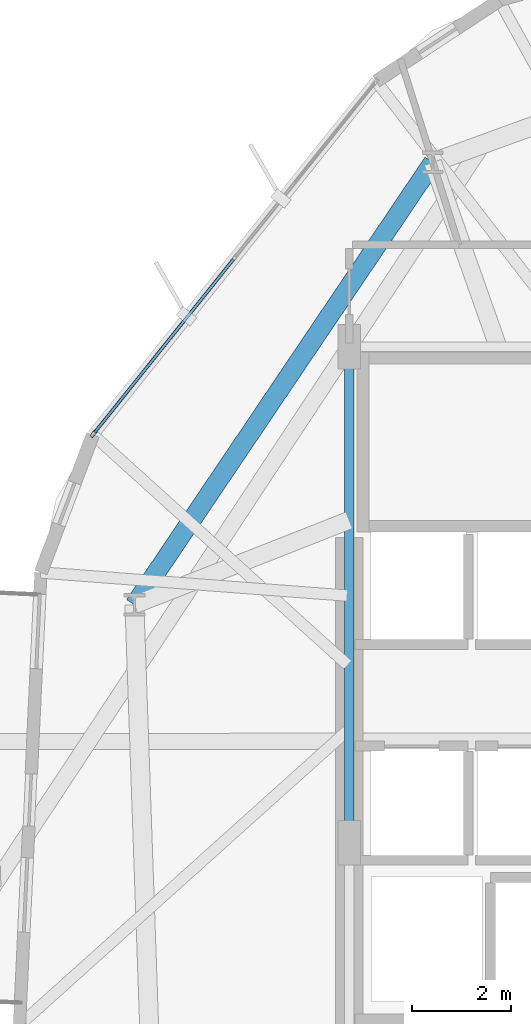
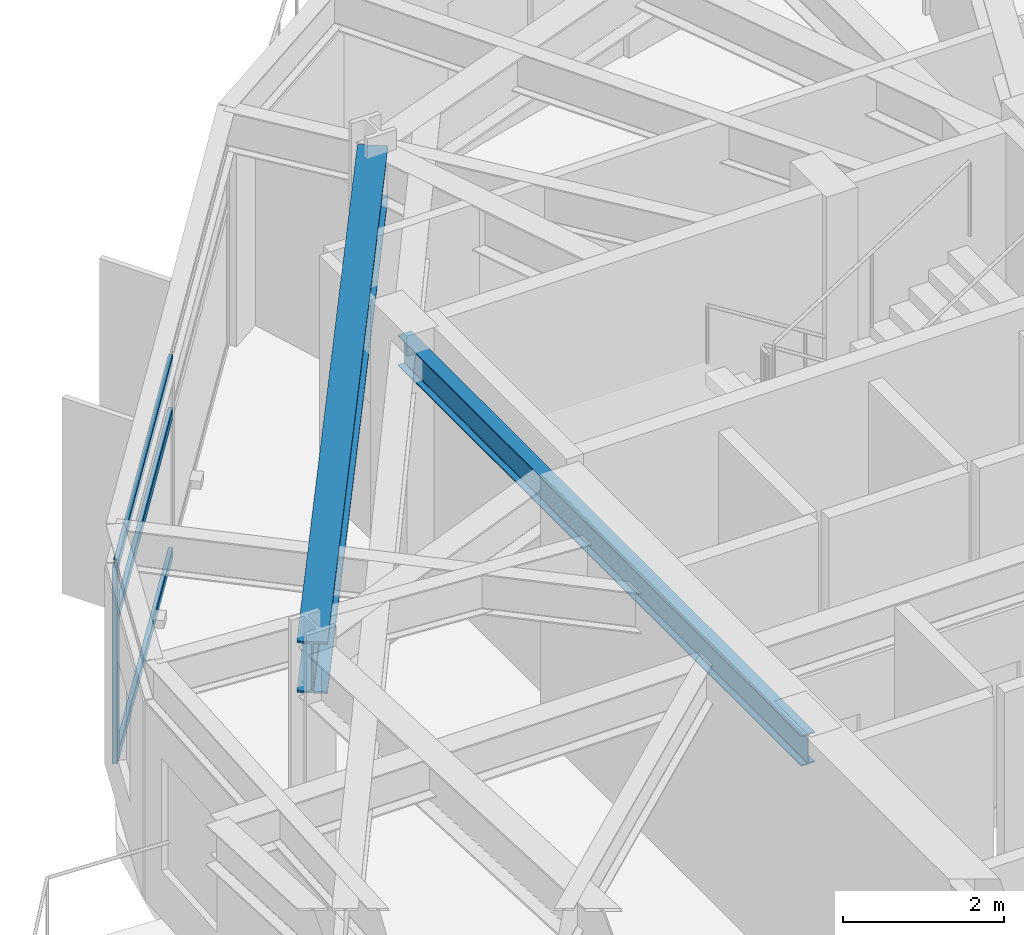
# One storey, part 6 of 25: 4 members, 2 beams, 1 element without a shape of its own.
"""IFC4 building model written with IfcOpenShell, lengths in metres."""

import ifcopenshell
import ifcopenshell.guid

model = None  # the IFC model being written
_history = None  # IfcOwnerHistory: only IFC2X3 demands one
_inside = {}  # id of a spatial element -> (the spatial element, [elements in it])
_under = {}  # id of a project, library or spatial element -> (it, [spatial elements below it])
_declared = {}  # id of a project -> (the project, [libraries it declares])
_typed = {}  # id of a type object -> (the type object, [elements of that type])
_made_of = {}  # id of a material, layer set ... -> (it, [elements and type objects made of it])


def new_model(schema):
    """Start an empty IFC model of exactly this schema.

    Asked for "IFC4X3", IfcOpenShell would pick the latest addendum, in which some entities
    have other attributes; the version numbers below select the first issue.
    IFC2X3 requires an IfcOwnerHistory on every rooted entity: one is made here for all.
    """
    global model, _history
    if schema == "IFC4X3":
        model = ifcopenshell.file(schema_version=(4, 3, 0, 0))
    else:
        model = ifcopenshell.file(schema=schema)
    _inside.clear()
    _under.clear()
    _declared.clear()
    _typed.clear()
    _made_of.clear()
    _history = None
    if model.schema == "IFC2X3":
        org = make("IfcOrganization", Name="unknown")
        user = make(
            "IfcPersonAndOrganization",
            ThePerson=make("IfcPerson", FamilyName="unknown"),
            TheOrganization=org,
        )
        app = make(
            "IfcApplication",
            ApplicationDeveloper=org,
            Version="unknown",
            ApplicationFullName="unknown",
            ApplicationIdentifier="unknown",
        )
        _history = make(
            "IfcOwnerHistory",
            OwningUser=user,
            OwningApplication=app,
            ChangeAction="ADDED",
            CreationDate=0,
        )
    return model


def make(cls, **values):
    """One entity of the class cls with the attributes given. An attribute that is None is left unset."""
    return model.create_entity(
        cls, **{name: value for name, value in values.items() if value is not None}
    )


def rooted(cls, **values):
    """An entity with a GlobalId (a new one), such as an element, a storey or a relation."""
    return make(cls, GlobalId=ifcopenshell.guid.new(), OwnerHistory=_history, **values)


def si_unit(unit_type, name, prefix=None):
    """IfcSIUnit, for example si_unit("LENGTHUNIT", "METRE", prefix="MILLI")."""
    return make("IfcSIUnit", UnitType=unit_type, Prefix=prefix, Name=name)


def assignment(units):
    """IfcUnitAssignment: the units of a project."""
    return None if units is None else make("IfcUnitAssignment", Units=units)


def point(xyz):
    """IfcCartesianPoint."""
    return None if xyz is None else make("IfcCartesianPoint", Coordinates=xyz)


def direction(xyz):
    """IfcDirection."""
    return None if xyz is None else make("IfcDirection", DirectionRatios=xyz)


def frame(location, z_axis=None, x_axis=None):
    """IfcAxis2Placement3D, a coordinate frame: its origin and axes. An axis left out is left unset."""
    return make(
        "IfcAxis2Placement3D",
        Location=point(location),
        Axis=direction(z_axis),
        RefDirection=direction(x_axis),
    )


def frame_2d(location, x_axis=None):
    """IfcAxis2Placement2D, a coordinate frame in the plane: its origin and x axis."""
    return make(
        "IfcAxis2Placement2D", Location=point(location), RefDirection=direction(x_axis)
    )


def origin():
    """The frame at (0, 0, 0) with its axes left unset."""
    return frame((0.0, 0.0, 0.0))


def origin_2d():
    """The frame at (0, 0) in the plane with its x axis left unset."""
    return frame_2d((0.0, 0.0))


def place(relative_to, where):
    """IfcLocalPlacement: puts the frame where relative to a parent placement (None: the world)."""
    return make(
        "IfcLocalPlacement", PlacementRelTo=relative_to, RelativePlacement=where
    )


def context(
    kind, dimensions, precision=None, world=None, true_north=None, identifier=None
):
    """IfcGeometricRepresentationContext, for example the 3D "Model" context."""
    return make(
        "IfcGeometricRepresentationContext",
        ContextIdentifier=identifier,
        ContextType=kind,
        CoordinateSpaceDimension=dimensions,
        Precision=precision,
        WorldCoordinateSystem=world,
        TrueNorth=true_north,
    )


def subcontext(parent, identifier, kind, view, scale=None):
    """IfcGeometricRepresentationSubContext, for example "Body" below "Model"."""
    return make(
        "IfcGeometricRepresentationSubContext",
        ContextIdentifier=identifier,
        ContextType=kind,
        ParentContext=parent,
        TargetScale=scale,
        TargetView=view,
    )


def project(units=None, contexts=None):
    """IfcProject with its units and contexts."""
    return rooted(
        "IfcProject",
        Name="project",
        RepresentationContexts=contexts,
        UnitsInContext=assignment(units),
    )


def spatial(cls, under=None, at=None, **own):
    """A site, building, storey or space (cls), placed at a placement, below another one or the project."""
    s = rooted(cls, ObjectPlacement=at, **own)
    if under is not None:
        _under.setdefault(under.id(), (under, []))[1].append(s)
    return s


def profile(cls, at=None, kind="AREA", **sizes):
    """A parametric profile (cls). Its sizes go by their IFC names, for example OverallWidth=200.0."""
    return make(cls, ProfileType=kind, Position=at, **sizes)


def hollow_rectangle(**sizes):
    """IfcRectangleHollowProfileDef."""
    return profile("IfcRectangleHollowProfileDef", **sizes)


def i_section(**sizes):
    """IfcIShapeProfileDef."""
    return profile("IfcIShapeProfileDef", **sizes)


def extrude(swept, where, along, depth):
    """IfcExtrudedAreaSolid: the profile swept, set in the frame where, extruded along a direction by depth."""
    return make(
        "IfcExtrudedAreaSolid",
        SweptArea=swept,
        Position=where,
        ExtrudedDirection=direction(along),
        Depth=depth,
    )


def shape(context_of_items, identifier, shape_type, items):
    """IfcShapeRepresentation: the items that make up one representation, for example the "Body"."""
    return make(
        "IfcShapeRepresentation",
        ContextOfItems=context_of_items,
        RepresentationIdentifier=identifier,
        RepresentationType=shape_type,
        Items=items,
    )


def material(Name=None, Category=None):
    """IfcMaterial."""
    return make("IfcMaterial", Name=Name, Category=Category)


def layer(
    of_material, thickness, ventilated=None, Name=None, Category=None, Priority=None
):
    """IfcMaterialLayer: one layer of a wall or slab, of a material (None: an air gap)."""
    return make(
        "IfcMaterialLayer",
        Material=of_material,
        LayerThickness=thickness,
        IsVentilated=ventilated,
        Name=Name,
        Category=Category,
        Priority=Priority,
    )


def layer_set(layers, Name=None):
    """IfcMaterialLayerSet."""
    return make("IfcMaterialLayerSet", MaterialLayers=layers, LayerSetName=Name)


def material_profile(
    of_material, cross_section, Name=None, Category=None, Priority=None
):
    """IfcMaterialProfile: a cross section and its material."""
    return make(
        "IfcMaterialProfile",
        Name=Name,
        Material=of_material,
        Profile=cross_section,
        Priority=Priority,
        Category=Category,
    )


def profile_set(profiles, Name=None, composite=None):
    """IfcMaterialProfileSet."""
    return make(
        "IfcMaterialProfileSet",
        Name=Name,
        MaterialProfiles=profiles,
        CompositeProfile=composite,
    )


def made_of(thing, what):
    """Note that an element or type object is made of a material, layer set ...; save() writes the relation."""
    if what is not None:
        _made_of.setdefault(what.id(), (what, []))[1].append(thing)
    return thing


def type_object(cls, material=None, **own):
    """A type object (cls), such as IfcWallType, which elements share."""
    return made_of(rooted(cls, **own), material)


def element(
    cls,
    number,
    at=None,
    inside=None,
    cuts=None,
    type_object=None,
    material=None,
    context=None,
    identifier="Body",
    shape_type=None,
    held_by="IfcProductDefinitionShape",
    body=None,
    shapes=None,
    **own,
):
    """One element of the class cls, such as IfcWall. Its Tag is "e" and its number.

    at: its placement. inside: the storey or other place that contains it. cuts: it is an
    opening in that element (IfcRelVoidsElement). A single representation is given by context,
    identifier, shape_type and body (its items); several are given by shapes. held_by: the class
    of the entity that holds the representations. save() writes the other relations.
    """
    e = rooted(cls, Tag="e%d" % number, ObjectPlacement=at, **own)
    if body is not None:
        shapes = [shape(context, identifier, shape_type, body)]
    if shapes is not None:
        e.Representation = make(held_by, Representations=shapes)
    if inside is not None:
        _inside.setdefault(inside.id(), (inside, []))[1].append(e)
    if cuts is not None:
        rooted(
            "IfcRelVoidsElement", RelatingBuildingElement=cuts, RelatedOpeningElement=e
        )
    if type_object is not None:
        _typed.setdefault(type_object.id(), (type_object, []))[1].append(e)
    return made_of(e, material)


def aggregate(whole, parts):
    """IfcRelAggregates: a whole, such as a stair, and the parts it consists of."""
    return rooted("IfcRelAggregates", RelatingObject=whole, RelatedObjects=parts)


def save(model, path):
    """Write the relations noted so far, then the file.

    IfcRelAggregates (storeys below a building ...), IfcRelContainedInSpatialStructure (elements
    in a storey), IfcRelDefinesByType, IfcRelAssociatesMaterial and IfcRelDeclares: one each for
    every whole, place, type object, material and project.
    """
    for whole, parts in _under.values():
        aggregate(whole, parts)
    for where, things in _inside.values():
        rooted(
            "IfcRelContainedInSpatialStructure",
            RelatedElements=things,
            RelatingStructure=where,
        )
    for kind, things in _typed.values():
        rooted("IfcRelDefinesByType", RelatedObjects=things, RelatingType=kind)
    for what, things in _made_of.values():
        rooted("IfcRelAssociatesMaterial", RelatedObjects=things, RelatingMaterial=what)
    for by, libraries in _declared.values():
        rooted("IfcRelDeclares", RelatingContext=by, RelatedDefinitions=libraries)
    model.write(path)


model = new_model("IFC4")

# Units and contexts
model_context = context("Model", 3, precision=1e-05, world=origin(), true_north=direction((0.0, 1.0)))
body_context = subcontext(model_context, "Body", "Model", "MODEL_VIEW")
ifc_project = project(units=[si_unit("LENGTHUNIT", "METRE"), si_unit("AREAUNIT", "SQUARE_METRE"), si_unit("VOLUMEUNIT", "CUBIC_METRE"), si_unit("PLANEANGLEUNIT", "RADIAN"), si_unit("MASSUNIT", "GRAM", prefix="KILO")], contexts=[model_context])

# Site, building, storey
site_placement = place(None, origin())
site = spatial("IfcSite", under=ifc_project, at=site_placement, CompositionType="ELEMENT")
building_placement = place(site_placement, origin())
building = spatial("IfcBuilding", under=site, at=building_placement, Name="Soratama Intermodal Tower", CompositionType="ELEMENT")
storey_placement = place(building_placement, frame((0.0, 0.0, 87.39990234375)))
storey = spatial("IfcBuildingStorey", under=building, at=storey_placement, Name="L20", CompositionType="ELEMENT", Elevation=87.39990234375)

# Beams
ifc_material_1 = material(Name="Structural steel ASTM A992 Grade 50", Category="steel")
ifc_material_profile_1 = material_profile(ifc_material_1, i_section(OverallWidth=0.19091796875, OverallDepth=0.4599609375, WebThickness=0.010009765625, FlangeThickness=0.01611328125, FilletRadius=0.010986328125, at=origin_2d()), Name="W18X55")
ifc_profile_set_1 = profile_set([ifc_material_profile_1], Name="Structural steel ASTM A992 Grade 50")
beam_type_1 = type_object("IfcBeamType", Name="BM-FLR-W18X55", PredefinedType="BEAM", material=ifc_profile_set_1)
beam_1_placement = place(storey_placement, frame((32.60009765625, 35.0, 3.3701171875), z_axis=(0.0, -1.0, 0.0), x_axis=(1.0, 0.0, 0.0)))
element("IfcBeam", 1, at=beam_1_placement, inside=storey, type_object=beam_type_1, Name="BM-L20-CRING-08", PredefinedType="BEAM", context=body_context, shape_type="SweptSolid", body=[
    extrude(i_section(OverallWidth=0.19091796875, OverallDepth=0.4599609375, WebThickness=0.010009765625, FlangeThickness=0.01611328125, FilletRadius=0.010986328125, at=origin_2d()), origin(), (0.0, 0.0, 1.0), 10.0),
])
ifc_material_2 = material(Name="Structural steel ASTM A992 Grade 50", Category="steel")
ifc_material_profile_2 = material_profile(ifc_material_2, i_section(OverallWidth=0.382080078125, OverallDepth=0.779052734375, WebThickness=0.01806640625, FlangeThickness=0.030029296875, FilletRadius=0.01806640625, at=origin_2d()), Name="W30X191")
ifc_profile_set_2 = profile_set([ifc_material_profile_2], Name="Structural steel ASTM A992 Grade 50")
beam_type_2 = type_object("IfcBeamType", Name="BM-RING-W30X191", PredefinedType="BEAM", material=ifc_profile_set_2)
beam_2_placement = place(storey_placement, frame((34.2880859375, 38.7109375, 3.210693359375), z_axis=(-0.559249807749, -0.828999187293, 0.0), x_axis=(0.828999187293, -0.559249807749, 0.0)))
element("IfcBeam", 2, at=beam_2_placement, inside=storey, type_object=beam_type_2, Name="BM-L20-RING-04", PredefinedType="BEAM", context=body_context, shape_type="SweptSolid", body=[
    extrude(i_section(OverallWidth=0.382080078125, OverallDepth=0.779052734375, WebThickness=0.01806640625, FlangeThickness=0.030029296875, FilletRadius=0.01806640625, at=origin_2d()), origin(), (0.0, 0.0, 1.0), 10.75390625),
])

# Curtain wall, members
ifc_material_3 = material(Name="Double-glazed aluminium curtain wall", Category="aluminium")
ifc_layer = layer(ifc_material_3, 0.159912109375)
ifc_layer_set = layer_set([ifc_layer], Name="Double-glazed aluminium curtain wall")
curtain_wall_type = type_object("IfcCurtainWallType", Name="CW-SYS-3", PredefinedType="NOTDEFINED", material=ifc_layer_set)
curtain_wall_placement = place(storey_placement, origin())
curtain_wall = element("IfcCurtainWall", 3, at=curtain_wall_placement, inside=storey, type_object=curtain_wall_type, Name="L20 Faceted Curtain Wall F04", PredefinedType="NOTDEFINED")
ifc_material_4 = material(Name="Anodised aluminium AA 6063-T6", Category="aluminium")
ifc_material_profile_3 = material_profile(ifc_material_4, hollow_rectangle(XDim=0.070068359375, YDim=0.159912109375, WallThickness=0.0048828125, InnerFilletRadius=0.0048828125, OuterFilletRadius=0.010009765625, at=origin_2d()), Name="CWM160X70X5")
ifc_profile_set_3 = profile_set([ifc_material_profile_3], Name="Anodised aluminium AA 6063-T6")
member_type_1 = type_object("IfcMemberType", Name="MT-CWM-3", PredefinedType="MULLION", material=ifc_profile_set_3)
member_1_placement = place(storey_placement, frame((27.454345703125, 33.24609375, 0.0), z_axis=(0.0, 0.0, 1.0), x_axis=(0.780431543802, -0.625241237795, 0.0)))
member_1 = element("IfcMember", 4, at=member_1_placement, type_object=member_type_1, Name="CW-3 mullion 3", PredefinedType="MULLION", context=body_context, shape_type="SweptSolid", body=[
    extrude(hollow_rectangle(XDim=0.070068359375, YDim=0.159912109375, WallThickness=0.0048828125, InnerFilletRadius=0.0048828125, OuterFilletRadius=0.010009765625, at=origin_2d()), origin(), (0.0, 0.0, 1.0), 2.97900390625),
])
ifc_material_5 = material(Name="Anodised aluminium AA 6063-T6", Category="aluminium")
ifc_material_profile_4 = material_profile(ifc_material_5, hollow_rectangle(XDim=0.06494140625, YDim=0.14990234375, WallThickness=0.0048828125, InnerFilletRadius=0.0048828125, OuterFilletRadius=0.010009765625, at=origin_2d()), Name="CWT150X65X5")
ifc_profile_set_4 = profile_set([ifc_material_profile_4], Name="Anodised aluminium AA 6063-T6")
member_type_2 = type_object("IfcMemberType", Name="TT-CWT-1", PredefinedType="USERDEFINED", material=ifc_profile_set_4)
member_2_placement = place(storey_placement, frame((30.27099609375, 36.76171875, 0.030029296875), z_axis=(-0.625253791454, -0.780421486296, 0.0), x_axis=(0.780421486296, -0.625253791454, 0.0)))
member_2 = element("IfcMember", 5, at=member_2_placement, type_object=member_type_2, Name="CW-3 transom 2.1", ObjectType="TRANSOM", PredefinedType="USERDEFINED", context=body_context, shape_type="SweptSolid", body=[
    extrude(hollow_rectangle(XDim=0.06494140625, YDim=0.14990234375, WallThickness=0.0048828125, InnerFilletRadius=0.0048828125, OuterFilletRadius=0.010009765625, at=origin_2d()), origin(), (0.0, 0.0, 1.0), 4.474853515625),
])
member_3_placement = place(storey_placement, frame((30.27099609375, 36.76171875, 2.150146484375), z_axis=(-0.625253791454, -0.780421486296, 0.0), x_axis=(0.780421486296, -0.625253791454, 0.0)))
member_3 = element("IfcMember", 6, at=member_3_placement, type_object=member_type_2, Name="CW-3 transom 2.2", ObjectType="TRANSOM", PredefinedType="USERDEFINED", context=body_context, shape_type="SweptSolid", body=[
    extrude(hollow_rectangle(XDim=0.06494140625, YDim=0.14990234375, WallThickness=0.0048828125, InnerFilletRadius=0.0048828125, OuterFilletRadius=0.010009765625, at=origin_2d()), origin(), (0.0, 0.0, 1.0), 4.474853515625),
])
member_4_placement = place(storey_placement, frame((30.27099609375, 36.76171875, 2.94921875), z_axis=(-0.625253791454, -0.780421486296, 0.0), x_axis=(0.780421486296, -0.625253791454, 0.0)))
member_4 = element("IfcMember", 7, at=member_4_placement, type_object=member_type_2, Name="CW-3 transom 2.3", ObjectType="TRANSOM", PredefinedType="USERDEFINED", context=body_context, shape_type="SweptSolid", body=[
    extrude(hollow_rectangle(XDim=0.06494140625, YDim=0.14990234375, WallThickness=0.0048828125, InnerFilletRadius=0.0048828125, OuterFilletRadius=0.010009765625, at=origin_2d()), origin(), (0.0, 0.0, 1.0), 4.474853515625),
])
aggregate(curtain_wall, [member_1, member_2, member_3, member_4])

save(model, "model.ifc")
